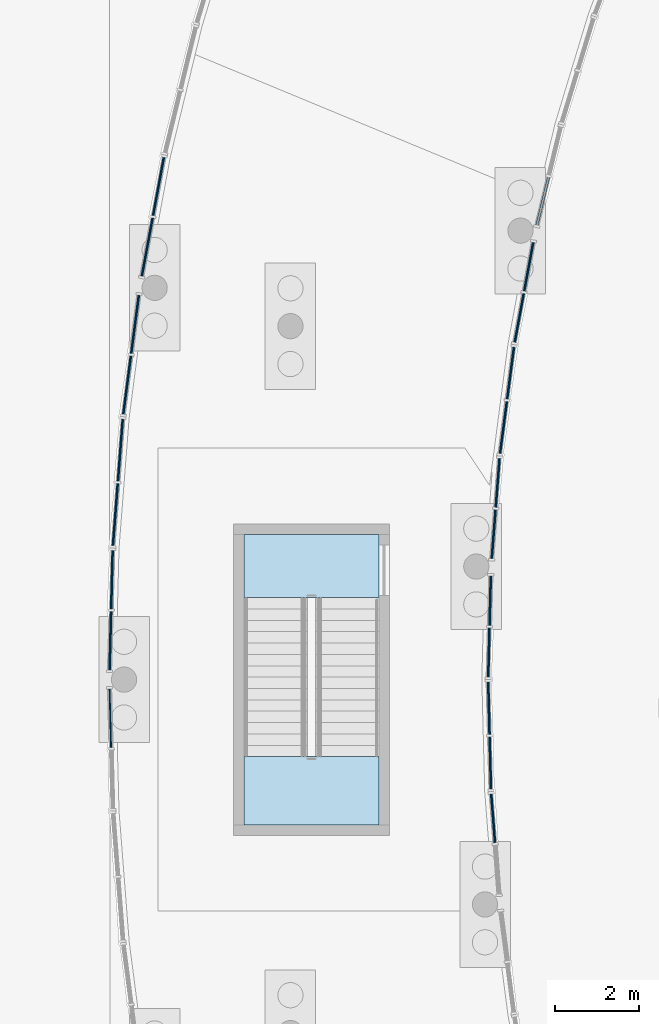
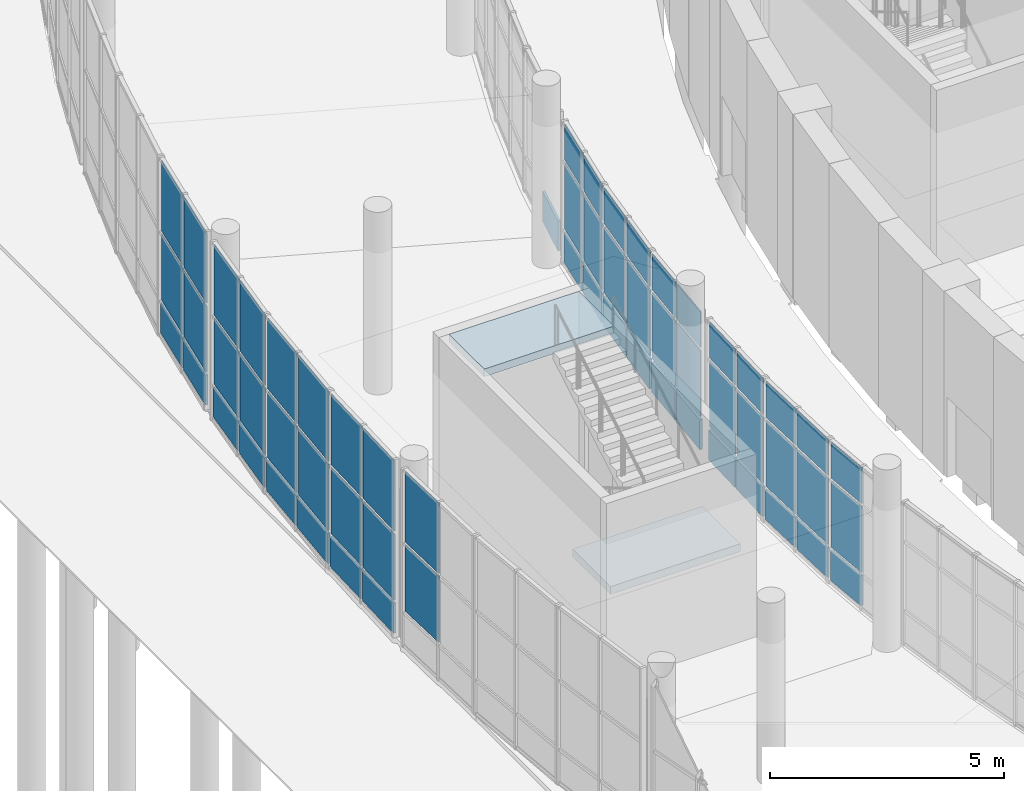
# One storey, part 44 of 110: 60 plates, 2 slabs, 13 elements without a shape of their own.
"""IFC4 building model written with IfcOpenShell, lengths in metres."""

from ifc_helpers import new_model, si_unit, direction, frame, origin, origin_2d, place, context, subcontext, project, spatial, polyline, rectangle, outline, extrude, material, layer, layer_set, type_object, element, aggregate, save


model = new_model("IFC4")

# Units and contexts
model_context = context("Model", 3, precision=1e-05, world=origin(), true_north=direction((0.0, 1.0)))
body_context = subcontext(model_context, "Body", "Model", "MODEL_VIEW")
ifc_project = project(units=[si_unit("LENGTHUNIT", "METRE"), si_unit("AREAUNIT", "SQUARE_METRE"), si_unit("VOLUMEUNIT", "CUBIC_METRE"), si_unit("PLANEANGLEUNIT", "RADIAN"), si_unit("MASSUNIT", "GRAM", prefix="KILO")], contexts=[model_context])

# Site, building, storey
site_placement = place(None, origin())
site = spatial("IfcSite", under=ifc_project, at=site_placement, CompositionType="ELEMENT")
building_placement = place(site_placement, origin())
building = spatial("IfcBuilding", under=site, at=building_placement, Name="Larchfold Concert Hall", CompositionType="ELEMENT")
storey_placement = place(building_placement, origin())
storey = spatial("IfcBuildingStorey", under=building, at=storey_placement, Name="L00", CompositionType="ELEMENT", Elevation=0.0)

# Curtain wall, plates
ifc_material_1 = material(Name="Anodised graphite aluminium curtain wall", Category="aluminium")
ifc_layer_1 = layer(ifc_material_1, 0.14990234375)
ifc_layer_set_1 = layer_set([ifc_layer_1], Name="Anodised graphite aluminium curtain wall")
curtain_wall_type = type_object("IfcCurtainWallType", Name="Curtain wall WG", PredefinedType="NOTDEFINED", material=ifc_layer_set_1)
curtain_wall_1_placement = place(storey_placement, origin())
curtain_wall_1 = element("IfcCurtainWall", 1, at=curtain_wall_1_placement, inside=storey, type_object=curtain_wall_type, Name="Curtain wall CW0069", PredefinedType="NOTDEFINED")
ifc_material_2 = material(Name="Insulated glazing unit, glass", Category="glass")
ifc_layer_2 = layer(ifc_material_2, 0.028076171875)
ifc_layer_set_2 = layer_set([ifc_layer_2], Name="Insulated glazing unit, glass")
plate_type_1 = type_object("IfcPlateType", Name="Glass panel 28", PredefinedType="CURTAIN_PANEL", material=ifc_layer_set_2)
plate_1_placement = place(storey_placement, frame((13.81689453125, 81.301513671875, 0.93994140625), z_axis=(0.0, 0.0, 1.0), x_axis=(-0.077547900972, 0.996988627345, 0.0)))
plate_1 = element("IfcPlate", 2, at=plate_1_placement, type_object=plate_type_1, Name="CW0069 panel 2.2", PredefinedType="CURTAIN_PANEL", context=body_context, shape_type="SweptSolid", body=[
    extrude(rectangle(XDim=1.159912109375, YDim=0.028076171875, at=origin_2d()), origin(), (0.0, 0.0, 1.0), 1.719970703125),
])
plate_2_placement = place(storey_placement, frame((13.81689453125, 81.301513671875, 2.740234375), z_axis=(0.0, 0.0, 1.0), x_axis=(-0.077547900972, 0.996988627345, 0.0)))
plate_2 = element("IfcPlate", 3, at=plate_2_placement, type_object=plate_type_1, Name="CW0069 panel 2.3", PredefinedType="CURTAIN_PANEL", context=body_context, shape_type="SweptSolid", body=[
    extrude(rectangle(XDim=1.159912109375, YDim=0.028076171875, at=origin_2d()), origin(), (0.0, 0.0, 1.0), 0.929931640625),
])

curtain_wall_2_placement = place(storey_placement, origin())
curtain_wall_2 = element("IfcCurtainWall", 4, at=curtain_wall_2_placement, inside=storey, type_object=curtain_wall_type, Name="Curtain wall CW0070", PredefinedType="NOTDEFINED")
plate_3_placement = place(storey_placement, frame((13.749755859375, 82.61962890625, 0.93994140625), z_axis=(0.0, 0.0, 1.0), x_axis=(-0.02577598033, 0.999667744222, 0.0)))
plate_3 = element("IfcPlate", 5, at=plate_3_placement, type_object=plate_type_1, Name="CW0070 panel 1.2", PredefinedType="CURTAIN_PANEL", context=body_context, shape_type="SweptSolid", body=[
    extrude(rectangle(XDim=1.24072265625, YDim=0.028076171875, at=origin_2d()), origin(), (0.0, 0.0, 1.0), 1.719970703125),
])
plate_4_placement = place(storey_placement, frame((13.749755859375, 82.61962890625, 2.740234375), z_axis=(0.0, 0.0, 1.0), x_axis=(-0.02577598033, 0.999667744222, 0.0)))
plate_4 = element("IfcPlate", 6, at=plate_4_placement, type_object=plate_type_1, Name="CW0070 panel 1.3", PredefinedType="CURTAIN_PANEL", context=body_context, shape_type="SweptSolid", body=[
    extrude(rectangle(XDim=1.24072265625, YDim=0.028076171875, at=origin_2d()), origin(), (0.0, 0.0, 1.0), 0.929931640625),
])
plate_5_placement = place(storey_placement, frame((13.71630859375, 83.919921875, 0.93994140625), z_axis=(0.0, 0.0, 1.0), x_axis=(-0.02577598033, 0.999667744222, 0.0)))
plate_5 = element("IfcPlate", 7, at=plate_5_placement, type_object=plate_type_1, Name="CW0070 panel 2.2", PredefinedType="CURTAIN_PANEL", context=body_context, shape_type="SweptSolid", body=[
    extrude(rectangle(XDim=1.24072265625, YDim=0.028076171875, at=origin_2d()), origin(), (0.0, 0.0, 1.0), 1.719970703125),
])
plate_6_placement = place(storey_placement, frame((13.71630859375, 83.919921875, 2.740234375), z_axis=(0.0, 0.0, 1.0), x_axis=(-0.02577598033, 0.999667744222, 0.0)))
plate_6 = element("IfcPlate", 8, at=plate_6_placement, type_object=plate_type_1, Name="CW0070 panel 2.3", PredefinedType="CURTAIN_PANEL", context=body_context, shape_type="SweptSolid", body=[
    extrude(rectangle(XDim=1.24072265625, YDim=0.028076171875, at=origin_2d()), origin(), (0.0, 0.0, 1.0), 0.929931640625),
])

curtain_wall_3_placement = place(storey_placement, origin())
curtain_wall_3 = element("IfcCurtainWall", 9, at=curtain_wall_3_placement, inside=storey, type_object=curtain_wall_type, Name="Curtain wall CW0071", PredefinedType="NOTDEFINED")
plate_7_placement = place(storey_placement, frame((13.71533203125, 85.2451171875, 0.93994140625), z_axis=(0.0, 0.0, 1.0), x_axis=(0.025761646688, 0.999668113706, 0.0)))
plate_7 = element("IfcPlate", 10, at=plate_7_placement, type_object=plate_type_1, Name="CW0071 panel 1.2", PredefinedType="CURTAIN_PANEL", context=body_context, shape_type="SweptSolid", body=[
    extrude(rectangle(XDim=1.17041015625, YDim=0.028076171875, at=origin_2d()), origin(), (0.0, 0.0, 1.0), 1.719970703125),
])
plate_8_placement = place(storey_placement, frame((13.71533203125, 85.2451171875, 2.740234375), z_axis=(0.0, 0.0, 1.0), x_axis=(0.025761646688, 0.999668113706, 0.0)))
plate_8 = element("IfcPlate", 11, at=plate_8_placement, type_object=plate_type_1, Name="CW0071 panel 1.3", PredefinedType="CURTAIN_PANEL", context=body_context, shape_type="SweptSolid", body=[
    extrude(rectangle(XDim=1.17041015625, YDim=0.028076171875, at=origin_2d()), origin(), (0.0, 0.0, 1.0), 0.929931640625),
])
plate_9_placement = place(storey_placement, frame((13.7470703125, 86.47509765625, 0.93994140625), z_axis=(0.0, 0.0, 1.0), x_axis=(0.025761646688, 0.999668113706, 0.0)))
plate_9 = element("IfcPlate", 12, at=plate_9_placement, type_object=plate_type_1, Name="CW0071 panel 2.2", PredefinedType="CURTAIN_PANEL", context=body_context, shape_type="SweptSolid", body=[
    extrude(rectangle(XDim=1.17041015625, YDim=0.028076171875, at=origin_2d()), origin(), (0.0, 0.0, 1.0), 1.719970703125),
])
plate_10_placement = place(storey_placement, frame((13.7470703125, 86.47509765625, 2.740234375), z_axis=(0.0, 0.0, 1.0), x_axis=(0.025761646688, 0.999668113706, 0.0)))
plate_10 = element("IfcPlate", 13, at=plate_10_placement, type_object=plate_type_1, Name="CW0071 panel 2.3", PredefinedType="CURTAIN_PANEL", context=body_context, shape_type="SweptSolid", body=[
    extrude(rectangle(XDim=1.17041015625, YDim=0.028076171875, at=origin_2d()), origin(), (0.0, 0.0, 1.0), 0.929931640625),
])

curtain_wall_4_placement = place(storey_placement, origin())
curtain_wall_4 = element("IfcCurtainWall", 14, at=curtain_wall_4_placement, inside=storey, type_object=curtain_wall_type, Name="Curtain wall CW0072", PredefinedType="NOTDEFINED")
plate_11_placement = place(storey_placement, frame((13.829345703125, 88.057373046875, 0.93994140625), z_axis=(0.0, 0.0, 1.0), x_axis=(0.077553270089, 0.996988209709, 0.0)))
plate_11 = element("IfcPlate", 15, at=plate_11_placement, type_object=plate_type_1, Name="CW0072 panel 1.2", PredefinedType="CURTAIN_PANEL", context=body_context, shape_type="SweptSolid", body=[
    extrude(rectangle(XDim=1.162841796875, YDim=0.028076171875, at=origin_2d()), origin(), (0.0, 0.0, 1.0), 1.719970703125),
])
plate_12_placement = place(storey_placement, frame((13.829345703125, 88.057373046875, 2.740234375), z_axis=(0.0, 0.0, 1.0), x_axis=(0.077553270089, 0.996988209709, 0.0)))
plate_12 = element("IfcPlate", 16, at=plate_12_placement, type_object=plate_type_1, Name="CW0072 panel 1.3", PredefinedType="CURTAIN_PANEL", context=body_context, shape_type="SweptSolid", body=[
    extrude(rectangle(XDim=1.162841796875, YDim=0.028076171875, at=origin_2d()), origin(), (0.0, 0.0, 1.0), 0.929931640625),
])
plate_13_placement = place(storey_placement, frame((13.924072265625, 89.2763671875, 0.93994140625), z_axis=(0.0, 0.0, 1.0), x_axis=(0.077553270089, 0.996988209709, 0.0)))
plate_13 = element("IfcPlate", 17, at=plate_13_placement, type_object=plate_type_1, Name="CW0072 panel 2.2", PredefinedType="CURTAIN_PANEL", context=body_context, shape_type="SweptSolid", body=[
    extrude(rectangle(XDim=1.162841796875, YDim=0.028076171875, at=origin_2d()), origin(), (0.0, 0.0, 1.0), 1.719970703125),
])
plate_14_placement = place(storey_placement, frame((13.924072265625, 89.2763671875, 2.740234375), z_axis=(0.0, 0.0, 1.0), x_axis=(0.077553270089, 0.996988209709, 0.0)))
plate_14 = element("IfcPlate", 18, at=plate_14_placement, type_object=plate_type_1, Name="CW0072 panel 2.3", PredefinedType="CURTAIN_PANEL", context=body_context, shape_type="SweptSolid", body=[
    extrude(rectangle(XDim=1.162841796875, YDim=0.028076171875, at=origin_2d()), origin(), (0.0, 0.0, 1.0), 0.929931640625),
])

curtain_wall_5_placement = place(storey_placement, origin())
curtain_wall_5 = element("IfcCurtainWall", 19, at=curtain_wall_5_placement, inside=storey, type_object=curtain_wall_type, Name="Curtain wall CW0073", PredefinedType="NOTDEFINED")
plate_15_placement = place(storey_placement, frame((14.062255859375, 90.591796875, 0.93994140625), z_axis=(0.0, 0.0, 1.0), x_axis=(0.129644480836, 0.991560542069, 0.0)))
plate_15 = element("IfcPlate", 20, at=plate_15_placement, type_object=plate_type_1, Name="CW0073 panel 1.2", PredefinedType="CURTAIN_PANEL", context=body_context, shape_type="SweptSolid", body=[
    extrude(rectangle(XDim=1.2431640625, YDim=0.028076171875, at=origin_2d()), origin(), (0.0, 0.0, 1.0), 1.719970703125),
])
plate_16_placement = place(storey_placement, frame((14.062255859375, 90.591796875, 2.740234375), z_axis=(0.0, 0.0, 1.0), x_axis=(0.129644480836, 0.991560542069, 0.0)))
plate_16 = element("IfcPlate", 21, at=plate_16_placement, type_object=plate_type_1, Name="CW0073 panel 1.3", PredefinedType="CURTAIN_PANEL", context=body_context, shape_type="SweptSolid", body=[
    extrude(rectangle(XDim=1.2431640625, YDim=0.028076171875, at=origin_2d()), origin(), (0.0, 0.0, 1.0), 0.929931640625),
])
plate_17_placement = place(storey_placement, frame((14.231201171875, 91.88427734375, 0.93994140625), z_axis=(0.0, 0.0, 1.0), x_axis=(0.129644480836, 0.991560542069, 0.0)))
plate_17 = element("IfcPlate", 22, at=plate_17_placement, type_object=plate_type_1, Name="CW0073 panel 2.2", PredefinedType="CURTAIN_PANEL", context=body_context, shape_type="SweptSolid", body=[
    extrude(rectangle(XDim=1.2431640625, YDim=0.028076171875, at=origin_2d()), origin(), (0.0, 0.0, 1.0), 1.719970703125),
])
plate_18_placement = place(storey_placement, frame((14.231201171875, 91.88427734375, 2.740234375), z_axis=(0.0, 0.0, 1.0), x_axis=(0.129644480836, 0.991560542069, 0.0)))
plate_18 = element("IfcPlate", 23, at=plate_18_placement, type_object=plate_type_1, Name="CW0073 panel 2.3", PredefinedType="CURTAIN_PANEL", context=body_context, shape_type="SweptSolid", body=[
    extrude(rectangle(XDim=1.2431640625, YDim=0.028076171875, at=origin_2d()), origin(), (0.0, 0.0, 1.0), 0.929931640625),
])

curtain_wall_6_placement = place(storey_placement, origin())
curtain_wall_6 = element("IfcCurtainWall", 24, at=curtain_wall_6_placement, inside=storey, type_object=curtain_wall_type, Name="Curtain wall CW0074", PredefinedType="NOTDEFINED")
plate_19_placement = place(storey_placement, frame((14.437744140625, 93.197021484375, 0.93994140625), z_axis=(0.0, 0.0, 1.0), x_axis=(0.182355148282, 0.983232729264, 0.0)))
plate_19 = element("IfcPlate", 25, at=plate_19_placement, type_object=plate_type_1, Name="CW0074 panel 1.2", PredefinedType="CURTAIN_PANEL", context=body_context, shape_type="SweptSolid", body=[
    extrude(rectangle(XDim=1.17578125, YDim=0.028076171875, at=origin_2d()), origin(), (0.0, 0.0, 1.0), 1.719970703125),
])
plate_20_placement = place(storey_placement, frame((14.437744140625, 93.197021484375, 2.740234375), z_axis=(0.0, 0.0, 1.0), x_axis=(0.182355148282, 0.983232729264, 0.0)))
plate_20 = element("IfcPlate", 26, at=plate_20_placement, type_object=plate_type_1, Name="CW0074 panel 1.3", PredefinedType="CURTAIN_PANEL", context=body_context, shape_type="SweptSolid", body=[
    extrude(rectangle(XDim=1.17578125, YDim=0.028076171875, at=origin_2d()), origin(), (0.0, 0.0, 1.0), 0.929931640625),
])
plate_21_placement = place(storey_placement, frame((14.6630859375, 94.412353515625, 0.93994140625), z_axis=(0.0, 0.0, 1.0), x_axis=(0.182355148282, 0.983232729264, 0.0)))
plate_21 = element("IfcPlate", 27, at=plate_21_placement, type_object=plate_type_1, Name="CW0074 panel 2.2", PredefinedType="CURTAIN_PANEL", context=body_context, shape_type="SweptSolid", body=[
    extrude(rectangle(XDim=1.17578125, YDim=0.028076171875, at=origin_2d()), origin(), (0.0, 0.0, 1.0), 1.719970703125),
])
plate_22_placement = place(storey_placement, frame((14.6630859375, 94.412353515625, 2.740234375), z_axis=(0.0, 0.0, 1.0), x_axis=(0.182355148282, 0.983232729264, 0.0)))
plate_22 = element("IfcPlate", 28, at=plate_22_placement, type_object=plate_type_1, Name="CW0074 panel 2.3", PredefinedType="CURTAIN_PANEL", context=body_context, shape_type="SweptSolid", body=[
    extrude(rectangle(XDim=1.17578125, YDim=0.028076171875, at=origin_2d()), origin(), (0.0, 0.0, 1.0), 0.929931640625),
])

curtain_wall_7_placement = place(storey_placement, origin())
curtain_wall_7 = element("IfcCurtainWall", 29, at=curtain_wall_7_placement, inside=storey, type_object=curtain_wall_type, Name="Curtain wall CW0115", PredefinedType="NOTDEFINED")
plate_23_placement = place(storey_placement, frame((5.863525390625, 96.32080078125, 0.93994140625), z_axis=(0.0, 0.0, 1.0), x_axis=(-0.182346464695, -0.983234339724, 0.0)))
plate_23 = element("IfcPlate", 30, at=plate_23_placement, type_object=plate_type_1, Name="CW0115 panel 1.2", PredefinedType="CURTAIN_PANEL", context=body_context, shape_type="SweptSolid", body=[
    extrude(rectangle(XDim=1.405517578125, YDim=0.028076171875, at=origin_2d()), origin(), (0.0, 0.0, 1.0), 1.719970703125),
])
plate_24_placement = place(storey_placement, frame((5.863525390625, 96.32080078125, 2.740234375), z_axis=(0.0, 0.0, 1.0), x_axis=(-0.182346464695, -0.983234339724, 0.0)))
plate_24 = element("IfcPlate", 31, at=plate_24_placement, type_object=plate_type_1, Name="CW0115 panel 1.3", PredefinedType="CURTAIN_PANEL", context=body_context, shape_type="SweptSolid", body=[
    extrude(rectangle(XDim=1.405517578125, YDim=0.028076171875, at=origin_2d()), origin(), (0.0, 0.0, 1.0), 1.829833984375),
])
plate_25_placement = place(storey_placement, frame((5.596435546875, 94.8798828125, 0.93994140625), z_axis=(0.0, 0.0, 1.0), x_axis=(-0.182346464695, -0.983234339724, 0.0)))
plate_25 = element("IfcPlate", 32, at=plate_25_placement, type_object=plate_type_1, Name="CW0115 panel 2.2", PredefinedType="CURTAIN_PANEL", context=body_context, shape_type="SweptSolid", body=[
    extrude(rectangle(XDim=1.405517578125, YDim=0.028076171875, at=origin_2d()), origin(), (0.0, 0.0, 1.0), 1.719970703125),
])
plate_26_placement = place(storey_placement, frame((5.596435546875, 94.8798828125, 2.740234375), z_axis=(0.0, 0.0, 1.0), x_axis=(-0.182346464695, -0.983234339724, 0.0)))
plate_26 = element("IfcPlate", 33, at=plate_26_placement, type_object=plate_type_1, Name="CW0115 panel 2.3", PredefinedType="CURTAIN_PANEL", context=body_context, shape_type="SweptSolid", body=[
    extrude(rectangle(XDim=1.405517578125, YDim=0.028076171875, at=origin_2d()), origin(), (0.0, 0.0, 1.0), 1.829833984375),
])

curtain_wall_8_placement = place(storey_placement, origin())
curtain_wall_8 = element("IfcCurtainWall", 34, at=curtain_wall_8_placement, inside=storey, type_object=curtain_wall_type, Name="Curtain wall CW0116", PredefinedType="NOTDEFINED")
plate_27_placement = place(storey_placement, frame((5.306396484375, 93.045166015625, 0.93994140625), z_axis=(0.0, 0.0, 1.0), x_axis=(-0.129742883511, -0.991547671158, 0.0)))
plate_27 = element("IfcPlate", 35, at=plate_27_placement, type_object=plate_type_1, Name="CW0116 panel 1.2", PredefinedType="CURTAIN_PANEL", context=body_context, shape_type="SweptSolid", body=[
    extrude(rectangle(XDim=1.396484375, YDim=0.028076171875, at=origin_2d()), origin(), (0.0, 0.0, 1.0), 1.719970703125),
])
plate_28_placement = place(storey_placement, frame((5.306396484375, 93.045166015625, 2.740234375), z_axis=(0.0, 0.0, 1.0), x_axis=(-0.129742883511, -0.991547671158, 0.0)))
plate_28 = element("IfcPlate", 36, at=plate_28_placement, type_object=plate_type_1, Name="CW0116 panel 1.3", PredefinedType="CURTAIN_PANEL", context=body_context, shape_type="SweptSolid", body=[
    extrude(rectangle(XDim=1.396484375, YDim=0.028076171875, at=origin_2d()), origin(), (0.0, 0.0, 1.0), 1.829833984375),
])
plate_29_placement = place(storey_placement, frame((5.117431640625, 91.60107421875, 0.93994140625), z_axis=(0.0, 0.0, 1.0), x_axis=(-0.129742883511, -0.991547671158, 0.0)))
plate_29 = element("IfcPlate", 37, at=plate_29_placement, type_object=plate_type_1, Name="CW0116 panel 2.2", PredefinedType="CURTAIN_PANEL", context=body_context, shape_type="SweptSolid", body=[
    extrude(rectangle(XDim=1.396484375, YDim=0.028076171875, at=origin_2d()), origin(), (0.0, 0.0, 1.0), 1.719970703125),
])
plate_30_placement = place(storey_placement, frame((5.117431640625, 91.60107421875, 2.740234375), z_axis=(0.0, 0.0, 1.0), x_axis=(-0.129742883511, -0.991547671158, 0.0)))
plate_30 = element("IfcPlate", 38, at=plate_30_placement, type_object=plate_type_1, Name="CW0116 panel 2.3", PredefinedType="CURTAIN_PANEL", context=body_context, shape_type="SweptSolid", body=[
    extrude(rectangle(XDim=1.396484375, YDim=0.028076171875, at=origin_2d()), origin(), (0.0, 0.0, 1.0), 1.829833984375),
])

curtain_wall_9_placement = place(storey_placement, origin())
curtain_wall_9 = element("IfcCurtainWall", 39, at=curtain_wall_9_placement, inside=storey, type_object=curtain_wall_type, Name="Curtain wall CW0117", PredefinedType="NOTDEFINED")
plate_31_placement = place(storey_placement, frame((4.957275390625, 90.05322265625, 0.93994140625), z_axis=(0.0, 0.0, 1.0), x_axis=(-0.077465260721, -0.996995051834, 0.0)))
plate_31 = element("IfcPlate", 40, at=plate_31_placement, type_object=plate_type_1, Name="CW0117 panel 1.2", PredefinedType="CURTAIN_PANEL", context=body_context, shape_type="SweptSolid", body=[
    extrude(rectangle(XDim=1.476318359375, YDim=0.028076171875, at=origin_2d()), origin(), (0.0, 0.0, 1.0), 1.719970703125),
])
plate_32_placement = place(storey_placement, frame((4.957275390625, 90.05322265625, 2.740234375), z_axis=(0.0, 0.0, 1.0), x_axis=(-0.077465260721, -0.996995051834, 0.0)))
plate_32 = element("IfcPlate", 41, at=plate_32_placement, type_object=plate_type_1, Name="CW0117 panel 1.3", PredefinedType="CURTAIN_PANEL", context=body_context, shape_type="SweptSolid", body=[
    extrude(rectangle(XDim=1.476318359375, YDim=0.028076171875, at=origin_2d()), origin(), (0.0, 0.0, 1.0), 1.829833984375),
])
plate_33_placement = place(storey_placement, frame((4.838134765625, 88.521728515625, 0.93994140625), z_axis=(0.0, 0.0, 1.0), x_axis=(-0.077465260721, -0.996995051834, 0.0)))
plate_33 = element("IfcPlate", 42, at=plate_33_placement, type_object=plate_type_1, Name="CW0117 panel 2.2", PredefinedType="CURTAIN_PANEL", context=body_context, shape_type="SweptSolid", body=[
    extrude(rectangle(XDim=1.476318359375, YDim=0.028076171875, at=origin_2d()), origin(), (0.0, 0.0, 1.0), 1.719970703125),
])
plate_34_placement = place(storey_placement, frame((4.838134765625, 88.521728515625, 2.740234375), z_axis=(0.0, 0.0, 1.0), x_axis=(-0.077465260721, -0.996995051834, 0.0)))
plate_34 = element("IfcPlate", 43, at=plate_34_placement, type_object=plate_type_1, Name="CW0117 panel 2.3", PredefinedType="CURTAIN_PANEL", context=body_context, shape_type="SweptSolid", body=[
    extrude(rectangle(XDim=1.476318359375, YDim=0.028076171875, at=origin_2d()), origin(), (0.0, 0.0, 1.0), 1.829833984375),
])

curtain_wall_10_placement = place(storey_placement, origin())
curtain_wall_10 = element("IfcCurtainWall", 44, at=curtain_wall_10_placement, inside=storey, type_object=curtain_wall_type, Name="Curtain wall CW0118", PredefinedType="NOTDEFINED")
plate_35_placement = place(storey_placement, frame((4.7568359375, 86.97119140625, 0.93994140625), z_axis=(0.0, 0.0, 1.0), x_axis=(-0.025820733125, -0.999666589289, 0.0)))
plate_35 = element("IfcPlate", 45, at=plate_35_placement, type_object=plate_type_1, Name="CW0118 panel 1.2", PredefinedType="CURTAIN_PANEL", context=body_context, shape_type="SweptSolid", body=[
    extrude(rectangle(XDim=1.3896484375, YDim=0.028076171875, at=origin_2d()), origin(), (0.0, 0.0, 1.0), 1.719970703125),
])
plate_36_placement = place(storey_placement, frame((4.7568359375, 86.97119140625, 2.740234375), z_axis=(0.0, 0.0, 1.0), x_axis=(-0.025820733125, -0.999666589289, 0.0)))
plate_36 = element("IfcPlate", 46, at=plate_36_placement, type_object=plate_type_1, Name="CW0118 panel 1.3", PredefinedType="CURTAIN_PANEL", context=body_context, shape_type="SweptSolid", body=[
    extrude(rectangle(XDim=1.3896484375, YDim=0.028076171875, at=origin_2d()), origin(), (0.0, 0.0, 1.0), 1.829833984375),
])
plate_37_placement = place(storey_placement, frame((4.719482421875, 85.52197265625, 0.93994140625), z_axis=(0.0, 0.0, 1.0), x_axis=(-0.025820733125, -0.999666589289, 0.0)))
plate_37 = element("IfcPlate", 47, at=plate_37_placement, type_object=plate_type_1, Name="CW0118 panel 2.2", PredefinedType="CURTAIN_PANEL", context=body_context, shape_type="SweptSolid", body=[
    extrude(rectangle(XDim=1.3896484375, YDim=0.028076171875, at=origin_2d()), origin(), (0.0, 0.0, 1.0), 1.719970703125),
])
plate_38_placement = place(storey_placement, frame((4.719482421875, 85.52197265625, 2.740234375), z_axis=(0.0, 0.0, 1.0), x_axis=(-0.025820733125, -0.999666589289, 0.0)))
plate_38 = element("IfcPlate", 48, at=plate_38_placement, type_object=plate_type_1, Name="CW0118 panel 2.3", PredefinedType="CURTAIN_PANEL", context=body_context, shape_type="SweptSolid", body=[
    extrude(rectangle(XDim=1.3896484375, YDim=0.028076171875, at=origin_2d()), origin(), (0.0, 0.0, 1.0), 1.829833984375),
])

curtain_wall_11_placement = place(storey_placement, origin())
curtain_wall_11 = element("IfcCurtainWall", 49, at=curtain_wall_11_placement, inside=storey, type_object=curtain_wall_type, Name="Curtain wall CW0119", PredefinedType="NOTDEFINED")
plate_39_placement = place(storey_placement, frame((4.719482421875, 83.67822265625, 0.93994140625), z_axis=(0.0, 0.0, 1.0), x_axis=(0.025820733125, -0.999666589289, 0.0)))
plate_39 = element("IfcPlate", 50, at=plate_39_placement, type_object=plate_type_1, Name="CW0119 panel 1.2", PredefinedType="CURTAIN_PANEL", context=body_context, shape_type="SweptSolid", body=[
    extrude(rectangle(XDim=1.3896484375, YDim=0.028076171875, at=origin_2d()), origin(), (0.0, 0.0, 1.0), 1.719970703125),
])
plate_40_placement = place(storey_placement, frame((4.719482421875, 83.67822265625, 2.740234375), z_axis=(0.0, 0.0, 1.0), x_axis=(0.025820733125, -0.999666589289, 0.0)))
plate_40 = element("IfcPlate", 51, at=plate_40_placement, type_object=plate_type_1, Name="CW0119 panel 1.3", PredefinedType="CURTAIN_PANEL", context=body_context, shape_type="SweptSolid", body=[
    extrude(rectangle(XDim=1.3896484375, YDim=0.028076171875, at=origin_2d()), origin(), (0.0, 0.0, 1.0), 1.829833984375),
])
aggregate(curtain_wall_11, [plate_39, plate_40])

# Plate
ifc_material_3 = material(Name="White insulated panel")
ifc_layer_3 = layer(ifc_material_3, 0.06005859375)
ifc_layer_set_3 = layer_set([ifc_layer_3], Name="White insulated panel")
plate_type_2 = type_object("IfcPlateType", Name="Insulated spandrel panel 60", PredefinedType="CURTAIN_PANEL", material=ifc_layer_set_3)
plate_41_placement = place(storey_placement, frame((13.81689453125, 81.301513671875, 0.080078125), z_axis=(0.0, 0.0, 1.0), x_axis=(-0.077547900972, 0.996988627345, 0.0)))
plate_41 = element("IfcPlate", 52, at=plate_41_placement, type_object=plate_type_2, Name="CW0069 panel 2.1", PredefinedType="CURTAIN_PANEL", context=body_context, shape_type="SweptSolid", body=[
    extrude(rectangle(XDim=1.159912109375, YDim=0.06005859375, at=origin_2d()), origin(), (0.0, 0.0, 1.0), 0.77978515625),
])

aggregate(curtain_wall_1, [plate_41, plate_1, plate_2])

plate_42_placement = place(storey_placement, frame((13.749755859375, 82.61962890625, 0.080078125), z_axis=(0.0, 0.0, 1.0), x_axis=(-0.02577598033, 0.999667744222, 0.0)))
plate_42 = element("IfcPlate", 53, at=plate_42_placement, type_object=plate_type_2, Name="CW0070 panel 1.1", PredefinedType="CURTAIN_PANEL", context=body_context, shape_type="SweptSolid", body=[
    extrude(rectangle(XDim=1.24072265625, YDim=0.06005859375, at=origin_2d()), origin(), (0.0, 0.0, 1.0), 0.77978515625),
])

plate_43_placement = place(storey_placement, frame((13.71630859375, 83.919921875, 0.080078125), z_axis=(0.0, 0.0, 1.0), x_axis=(-0.02577598033, 0.999667744222, 0.0)))
plate_43 = element("IfcPlate", 54, at=plate_43_placement, type_object=plate_type_2, Name="CW0070 panel 2.1", PredefinedType="CURTAIN_PANEL", context=body_context, shape_type="SweptSolid", body=[
    extrude(rectangle(XDim=1.24072265625, YDim=0.06005859375, at=origin_2d()), origin(), (0.0, 0.0, 1.0), 0.77978515625),
])

aggregate(curtain_wall_2, [plate_42, plate_3, plate_4, plate_43, plate_5, plate_6])

plate_44_placement = place(storey_placement, frame((13.71533203125, 85.2451171875, 0.080078125), z_axis=(0.0, 0.0, 1.0), x_axis=(0.025761646688, 0.999668113706, 0.0)))
plate_44 = element("IfcPlate", 55, at=plate_44_placement, type_object=plate_type_2, Name="CW0071 panel 1.1", PredefinedType="CURTAIN_PANEL", context=body_context, shape_type="SweptSolid", body=[
    extrude(rectangle(XDim=1.17041015625, YDim=0.06005859375, at=origin_2d()), origin(), (0.0, 0.0, 1.0), 0.77978515625),
])

plate_45_placement = place(storey_placement, frame((13.7470703125, 86.47509765625, 0.080078125), z_axis=(0.0, 0.0, 1.0), x_axis=(0.025761646688, 0.999668113706, 0.0)))
plate_45 = element("IfcPlate", 56, at=plate_45_placement, type_object=plate_type_2, Name="CW0071 panel 2.1", PredefinedType="CURTAIN_PANEL", context=body_context, shape_type="SweptSolid", body=[
    extrude(rectangle(XDim=1.17041015625, YDim=0.06005859375, at=origin_2d()), origin(), (0.0, 0.0, 1.0), 0.77978515625),
])

aggregate(curtain_wall_3, [plate_44, plate_7, plate_8, plate_45, plate_9, plate_10])

plate_46_placement = place(storey_placement, frame((13.829345703125, 88.057373046875, 0.080078125), z_axis=(0.0, 0.0, 1.0), x_axis=(0.077553270089, 0.996988209709, 0.0)))
plate_46 = element("IfcPlate", 57, at=plate_46_placement, type_object=plate_type_2, Name="CW0072 panel 1.1", PredefinedType="CURTAIN_PANEL", context=body_context, shape_type="SweptSolid", body=[
    extrude(rectangle(XDim=1.162841796875, YDim=0.06005859375, at=origin_2d()), origin(), (0.0, 0.0, 1.0), 0.77978515625),
])

plate_47_placement = place(storey_placement, frame((13.924072265625, 89.2763671875, 0.080078125), z_axis=(0.0, 0.0, 1.0), x_axis=(0.077553270089, 0.996988209709, 0.0)))
plate_47 = element("IfcPlate", 58, at=plate_47_placement, type_object=plate_type_2, Name="CW0072 panel 2.1", PredefinedType="CURTAIN_PANEL", context=body_context, shape_type="SweptSolid", body=[
    extrude(rectangle(XDim=1.162841796875, YDim=0.06005859375, at=origin_2d()), origin(), (0.0, 0.0, 1.0), 0.77978515625),
])

aggregate(curtain_wall_4, [plate_46, plate_11, plate_12, plate_47, plate_13, plate_14])

plate_48_placement = place(storey_placement, frame((14.062255859375, 90.591796875, 0.080078125), z_axis=(0.0, 0.0, 1.0), x_axis=(0.129644480836, 0.991560542069, 0.0)))
plate_48 = element("IfcPlate", 59, at=plate_48_placement, type_object=plate_type_2, Name="CW0073 panel 1.1", PredefinedType="CURTAIN_PANEL", context=body_context, shape_type="SweptSolid", body=[
    extrude(rectangle(XDim=1.2431640625, YDim=0.06005859375, at=origin_2d()), origin(), (0.0, 0.0, 1.0), 0.77978515625),
])

plate_49_placement = place(storey_placement, frame((14.231201171875, 91.88427734375, 0.080078125), z_axis=(0.0, 0.0, 1.0), x_axis=(0.129644480836, 0.991560542069, 0.0)))
plate_49 = element("IfcPlate", 60, at=plate_49_placement, type_object=plate_type_2, Name="CW0073 panel 2.1", PredefinedType="CURTAIN_PANEL", context=body_context, shape_type="SweptSolid", body=[
    extrude(rectangle(XDim=1.2431640625, YDim=0.06005859375, at=origin_2d()), origin(), (0.0, 0.0, 1.0), 0.77978515625),
])

aggregate(curtain_wall_5, [plate_48, plate_15, plate_16, plate_49, plate_17, plate_18])

plate_50_placement = place(storey_placement, frame((14.437744140625, 93.197021484375, 0.080078125), z_axis=(0.0, 0.0, 1.0), x_axis=(0.182355148282, 0.983232729264, 0.0)))
plate_50 = element("IfcPlate", 61, at=plate_50_placement, type_object=plate_type_2, Name="CW0074 panel 1.1", PredefinedType="CURTAIN_PANEL", context=body_context, shape_type="SweptSolid", body=[
    extrude(rectangle(XDim=1.17578125, YDim=0.06005859375, at=origin_2d()), origin(), (0.0, 0.0, 1.0), 0.77978515625),
])

plate_51_placement = place(storey_placement, frame((14.6630859375, 94.412353515625, 0.080078125), z_axis=(0.0, 0.0, 1.0), x_axis=(0.182355148282, 0.983232729264, 0.0)))
plate_51 = element("IfcPlate", 62, at=plate_51_placement, type_object=plate_type_2, Name="CW0074 panel 2.1", PredefinedType="CURTAIN_PANEL", context=body_context, shape_type="SweptSolid", body=[
    extrude(rectangle(XDim=1.17578125, YDim=0.06005859375, at=origin_2d()), origin(), (0.0, 0.0, 1.0), 0.77978515625),
])

aggregate(curtain_wall_6, [plate_50, plate_19, plate_20, plate_51, plate_21, plate_22])

# Curtain wall, plate
curtain_wall_12_placement = place(storey_placement, origin())
curtain_wall_12 = element("IfcCurtainWall", 63, at=curtain_wall_12_placement, inside=storey, type_object=curtain_wall_type, Name="Curtain wall CW0075", PredefinedType="NOTDEFINED")
plate_52_placement = place(storey_placement, frame((14.99658203125, 95.968994140625, 0.080078125), z_axis=(0.0, 0.0, 1.0), x_axis=(0.235963339363, 0.971761957722, 0.0)))
plate_52 = element("IfcPlate", 64, at=plate_52_placement, type_object=plate_type_2, Name="CW0075 panel 1.1", PredefinedType="CURTAIN_PANEL", context=body_context, shape_type="SweptSolid", body=[
    extrude(rectangle(XDim=1.169677734375, YDim=0.06005859375, at=origin_2d()), origin(), (0.0, 0.0, 1.0), 0.77978515625),
])
aggregate(curtain_wall_12, [plate_52])

# Plate
plate_53_placement = place(storey_placement, frame((5.863525390625, 96.32080078125, 0.080078125), z_axis=(0.0, 0.0, 1.0), x_axis=(-0.182346464695, -0.983234339724, 0.0)))
plate_53 = element("IfcPlate", 65, at=plate_53_placement, type_object=plate_type_2, Name="CW0115 panel 1.1", PredefinedType="CURTAIN_PANEL", context=body_context, shape_type="SweptSolid", body=[
    extrude(rectangle(XDim=1.405517578125, YDim=0.06005859375, at=origin_2d()), origin(), (0.0, 0.0, 1.0), 0.77978515625),
])

plate_54_placement = place(storey_placement, frame((5.596435546875, 94.8798828125, 0.080078125), z_axis=(0.0, 0.0, 1.0), x_axis=(-0.182346464695, -0.983234339724, 0.0)))
plate_54 = element("IfcPlate", 66, at=plate_54_placement, type_object=plate_type_2, Name="CW0115 panel 2.1", PredefinedType="CURTAIN_PANEL", context=body_context, shape_type="SweptSolid", body=[
    extrude(rectangle(XDim=1.405517578125, YDim=0.06005859375, at=origin_2d()), origin(), (0.0, 0.0, 1.0), 0.77978515625),
])

aggregate(curtain_wall_7, [plate_53, plate_23, plate_24, plate_54, plate_25, plate_26])

plate_55_placement = place(storey_placement, frame((5.306396484375, 93.045166015625, 0.080078125), z_axis=(0.0, 0.0, 1.0), x_axis=(-0.129742883511, -0.991547671158, 0.0)))
plate_55 = element("IfcPlate", 67, at=plate_55_placement, type_object=plate_type_2, Name="CW0116 panel 1.1", PredefinedType="CURTAIN_PANEL", context=body_context, shape_type="SweptSolid", body=[
    extrude(rectangle(XDim=1.396484375, YDim=0.06005859375, at=origin_2d()), origin(), (0.0, 0.0, 1.0), 0.77978515625),
])

plate_56_placement = place(storey_placement, frame((5.117431640625, 91.60107421875, 0.080078125), z_axis=(0.0, 0.0, 1.0), x_axis=(-0.129742883511, -0.991547671158, 0.0)))
plate_56 = element("IfcPlate", 68, at=plate_56_placement, type_object=plate_type_2, Name="CW0116 panel 2.1", PredefinedType="CURTAIN_PANEL", context=body_context, shape_type="SweptSolid", body=[
    extrude(rectangle(XDim=1.396484375, YDim=0.06005859375, at=origin_2d()), origin(), (0.0, 0.0, 1.0), 0.77978515625),
])

aggregate(curtain_wall_8, [plate_55, plate_27, plate_28, plate_56, plate_29, plate_30])

plate_57_placement = place(storey_placement, frame((4.957275390625, 90.05322265625, 0.080078125), z_axis=(0.0, 0.0, 1.0), x_axis=(-0.077465260721, -0.996995051834, 0.0)))
plate_57 = element("IfcPlate", 69, at=plate_57_placement, type_object=plate_type_2, Name="CW0117 panel 1.1", PredefinedType="CURTAIN_PANEL", context=body_context, shape_type="SweptSolid", body=[
    extrude(rectangle(XDim=1.476318359375, YDim=0.06005859375, at=origin_2d()), origin(), (0.0, 0.0, 1.0), 0.77978515625),
])

plate_58_placement = place(storey_placement, frame((4.838134765625, 88.521728515625, 0.080078125), z_axis=(0.0, 0.0, 1.0), x_axis=(-0.077465260721, -0.996995051834, 0.0)))
plate_58 = element("IfcPlate", 70, at=plate_58_placement, type_object=plate_type_2, Name="CW0117 panel 2.1", PredefinedType="CURTAIN_PANEL", context=body_context, shape_type="SweptSolid", body=[
    extrude(rectangle(XDim=1.476318359375, YDim=0.06005859375, at=origin_2d()), origin(), (0.0, 0.0, 1.0), 0.77978515625),
])

aggregate(curtain_wall_9, [plate_57, plate_31, plate_32, plate_58, plate_33, plate_34])

plate_59_placement = place(storey_placement, frame((4.7568359375, 86.97119140625, 0.080078125), z_axis=(0.0, 0.0, 1.0), x_axis=(-0.025820733125, -0.999666589289, 0.0)))
plate_59 = element("IfcPlate", 71, at=plate_59_placement, type_object=plate_type_2, Name="CW0118 panel 1.1", PredefinedType="CURTAIN_PANEL", context=body_context, shape_type="SweptSolid", body=[
    extrude(rectangle(XDim=1.3896484375, YDim=0.06005859375, at=origin_2d()), origin(), (0.0, 0.0, 1.0), 0.77978515625),
])

plate_60_placement = place(storey_placement, frame((4.719482421875, 85.52197265625, 0.080078125), z_axis=(0.0, 0.0, 1.0), x_axis=(-0.025820733125, -0.999666589289, 0.0)))
plate_60 = element("IfcPlate", 72, at=plate_60_placement, type_object=plate_type_2, Name="CW0118 panel 2.1", PredefinedType="CURTAIN_PANEL", context=body_context, shape_type="SweptSolid", body=[
    extrude(rectangle(XDim=1.3896484375, YDim=0.06005859375, at=origin_2d()), origin(), (0.0, 0.0, 1.0), 0.77978515625),
])

aggregate(curtain_wall_10, [plate_59, plate_35, plate_36, plate_60, plate_37, plate_38])

# Stair, slabs
ifc_material_4 = material(Name="Concrete C35/45", Category="concrete")
stair_type = type_object("IfcStairType", Name="Stair RC half-turn enclosed", PredefinedType="HALF_TURN_STAIR", material=ifc_material_4)
stair_placement = place(storey_placement, origin())
stair = element("IfcStair", 73, at=stair_placement, inside=storey, type_object=stair_type, Name="Stair WG2", PredefinedType="HALF_TURN_STAIR")
ifc_material_5 = material(Name="Concrete C35/45", Category="concrete")
ifc_layer_4 = layer(ifc_material_5, 0.199951171875)
ifc_layer_set_4 = layer_set([ifc_layer_4], Name="Concrete C35/45")
slab_type = type_object("IfcSlabType", Name="Stair landing RC 200", PredefinedType="LANDING", material=ifc_layer_set_4)
slab_1_placement = place(storey_placement, frame((0.0, 0.0, 2.199951171875)))
slab_1 = element("IfcSlab", 74, at=slab_1_placement, type_object=slab_type, Name="ST24 landing 1", PredefinedType="LANDING", context=body_context, shape_type="SweptSolid", body=[
    extrude(outline(polyline([(7.89990234375, 82.77001953125), (7.89990234375, 81.14990234375), (11.099853515625, 81.14990234375), (11.099853515625, 82.77001953125), (7.89990234375, 82.77001953125)])), origin(), (0.0, 0.0, 1.0), 0.199951171875),
])
slab_2_placement = place(storey_placement, frame((0.0, 0.0, 4.60009765625)))
slab_2 = element("IfcSlab", 75, at=slab_2_placement, type_object=slab_type, Name="ST24 landing 2", PredefinedType="LANDING", context=body_context, shape_type="SweptSolid", body=[
    extrude(outline(polyline([(7.89990234375, 88.050048828125), (7.89990234375, 86.550048828125), (11.10009765625, 86.550048828125), (11.10009765625, 88.050048828125), (7.89990234375, 88.050048828125)])), origin(), (0.0, 0.0, 1.0), 0.199951171875),
])
aggregate(stair, [slab_1, slab_2])

save(model, "model.ifc")
